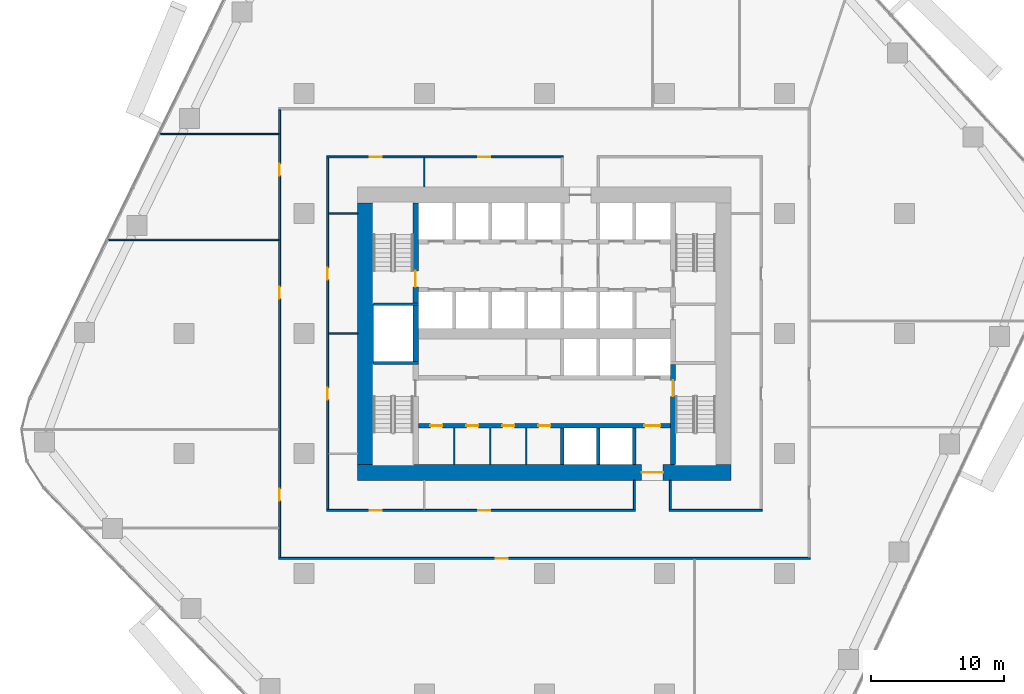
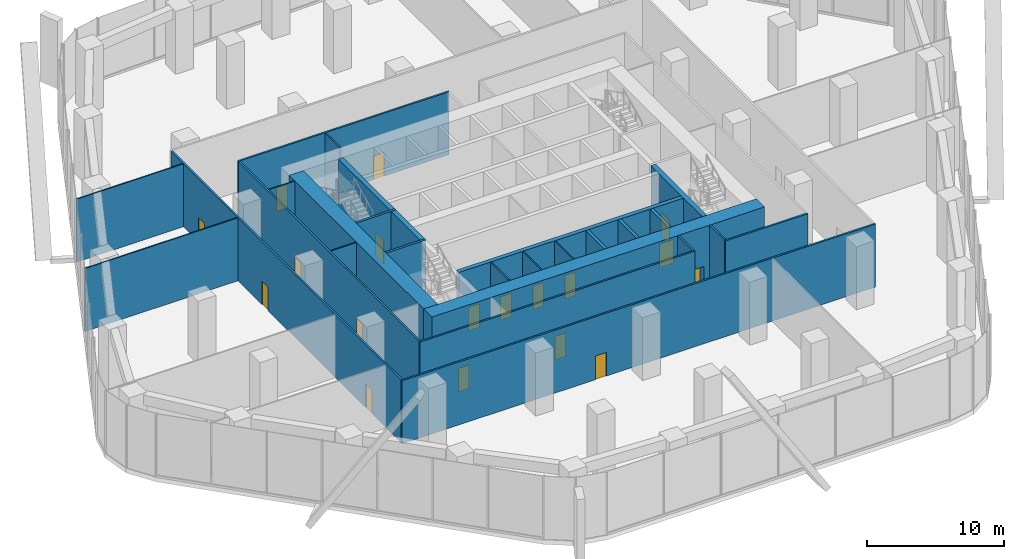
# One storey, part 11 of 19: 27 walls, 18 doors, 18 openings.
"""IFC4 building model written with IfcOpenShell, lengths in metres."""

from ifc_helpers import new_model, si_unit, direction, frame, frame_2d, origin, place, context, subcontext, project, spatial, rectangle, extrude, material, layer, layer_set, type_object, element, fill, save


model = new_model("IFC4")

# Units and contexts
model_context = context("Model", 3, precision=1e-05, world=origin(), true_north=direction((0.0, 1.0)))
body_context = subcontext(model_context, "Body", "Model", "MODEL_VIEW")
ifc_project = project(units=[si_unit("LENGTHUNIT", "METRE"), si_unit("AREAUNIT", "SQUARE_METRE"), si_unit("VOLUMEUNIT", "CUBIC_METRE"), si_unit("PLANEANGLEUNIT", "RADIAN"), si_unit("MASSUNIT", "GRAM", prefix="KILO")], contexts=[model_context])

# Site, building, storey
site_placement = place(None, origin())
site = spatial("IfcSite", under=ifc_project, at=site_placement, CompositionType="ELEMENT")
building_placement = place(site_placement, origin())
building = spatial("IfcBuilding", under=site, at=building_placement, Name="Dongbaek Canopy Tower", CompositionType="ELEMENT")
storey_placement = place(building_placement, frame((0.0, 0.0, 38.0)))
storey = spatial("IfcBuildingStorey", under=building, at=storey_placement, Name="L05", CompositionType="ELEMENT", Elevation=38.0)

# Wall, openings, doors
ifc_material_1 = material(Name="Concrete C60/75", Category="concrete")
ifc_layer_1 = layer(ifc_material_1, 0.35009765625)
ifc_layer_set_1 = layer_set([ifc_layer_1], Name="Core lobby wall 350 Concrete C60/75")
wall_type_1 = type_object("IfcWallType", Name="Core lobby wall 350 Concrete C60/75", PredefinedType="SHEAR", material=ifc_layer_set_1)
wall_1_placement = place(storey_placement, frame((9.449951171875, -6.89990234375, 0.0), z_axis=(0.0, 0.0, 1.0), x_axis=(-1.0, 0.0, 0.0)))
wall_1 = element("IfcWall", 1, at=wall_1_placement, inside=storey, type_object=wall_type_1, Name="Core wall", PredefinedType="SHEAR", context=body_context, shape_type="SweptSolid", body=[
    extrude(rectangle(XDim=18.89990234375, YDim=0.35009765625, at=frame_2d((9.449951171875, 0.0))), origin(), (0.0, 0.0, 1.0), 5.60009765625),
])
opening_1_placement = place(wall_1_placement, frame((0.75, 0.0, 0.0)))
opening_1 = element("IfcOpeningElement", 2, at=opening_1_placement, cuts=wall_1, Name="Opening L05-D038", PredefinedType="OPENING", context=body_context, shape_type="SweptSolid", body=[
    extrude(rectangle(XDim=1.199951171875, YDim=2.10009765625, at=frame_2d((0.60009765625, 1.050048828125))), frame((0.0, 0.18505859375, 0.0), z_axis=(0.0, -1.0, 0.0), x_axis=(1.0, 0.0, 0.0)), (0.0, 0.0, 1.0), 0.3701171875),
])
opening_2_placement = place(wall_1_placement, frame((17.10009765625, 0.0, 0.0)))
opening_2 = element("IfcOpeningElement", 3, at=opening_2_placement, cuts=wall_1, Name="Opening L05-D041", PredefinedType="OPENING", context=body_context, shape_type="SweptSolid", body=[
    extrude(rectangle(XDim=0.89990234375, YDim=2.10009765625, at=frame_2d((0.449951171875, 1.050048828125))), frame((0.0, 0.18505859375, 0.0), z_axis=(0.0, -1.0, 0.0), x_axis=(1.0, 0.0, 0.0)), (0.0, 0.0, 1.0), 0.3701171875),
])
opening_3_placement = place(wall_1_placement, frame((14.39990234375, 0.0, 0.0)))
opening_3 = element("IfcOpeningElement", 4, at=opening_3_placement, cuts=wall_1, Name="Opening L05-D042", PredefinedType="OPENING", context=body_context, shape_type="SweptSolid", body=[
    extrude(rectangle(XDim=0.89990234375, YDim=2.10009765625, at=frame_2d((0.449951171875, 1.050048828125))), frame((0.0, 0.18505859375, 0.0), z_axis=(0.0, -1.0, 0.0), x_axis=(1.0, 0.0, 0.0)), (0.0, 0.0, 1.0), 0.3701171875),
])
opening_4_placement = place(wall_1_placement, frame((11.699951171875, 0.0, 0.0)))
opening_4 = element("IfcOpeningElement", 5, at=opening_4_placement, cuts=wall_1, Name="Opening L05-D043", PredefinedType="OPENING", context=body_context, shape_type="SweptSolid", body=[
    extrude(rectangle(XDim=0.89990234375, YDim=2.10009765625, at=frame_2d((0.449951171875, 1.050048828125))), frame((0.0, 0.18505859375, 0.0), z_axis=(0.0, -1.0, 0.0), x_axis=(1.0, 0.0, 0.0)), (0.0, 0.0, 1.0), 0.3701171875),
])
opening_5_placement = place(wall_1_placement, frame((9.0, 0.0, 0.0)))
opening_5 = element("IfcOpeningElement", 6, at=opening_5_placement, cuts=wall_1, Name="Opening L05-D044", PredefinedType="OPENING", context=body_context, shape_type="SweptSolid", body=[
    extrude(rectangle(XDim=0.89990234375, YDim=2.10009765625, at=frame_2d((0.449951171875, 1.050048828125))), frame((0.0, 0.18505859375, 0.0), z_axis=(0.0, -1.0, 0.0), x_axis=(1.0, 0.0, 0.0)), (0.0, 0.0, 1.0), 0.3701171875),
])
ifc_material_2 = material(Name="Steel", Category="steel")
door_type_1 = type_object("IfcDoorType", Name="Core room door 900 x 2100", OperationType="SINGLE_SWING_LEFT", PredefinedType="DOOR", material=ifc_material_2)
door_1_placement = place(opening_2_placement, origin())
door_1 = element("IfcDoor", 7, at=door_1_placement, inside=storey, type_object=door_type_1, Name="Door L05-D041", OperationType="SINGLE_SWING_RIGHT", OverallHeight=2.10009765625, OverallWidth=0.89990234375, PredefinedType="DOOR", context=body_context, shape_type="SweptSolid", body=[
    extrude(rectangle(XDim=0.89990234375, YDim=2.10009765625, at=frame_2d((0.449951171875, 1.050048828125))), frame((0.0, 0.02490234375, 0.0), z_axis=(0.0, -1.0, 0.0), x_axis=(1.0, 0.0, 0.0)), (0.0, 0.0, 1.0), 0.050048828125),
])
fill(opening_2, door_1)
door_2_placement = place(opening_3_placement, origin())
door_2 = element("IfcDoor", 8, at=door_2_placement, inside=storey, type_object=door_type_1, Name="Door L05-D042", OperationType="SINGLE_SWING_LEFT", OverallHeight=2.10009765625, OverallWidth=0.89990234375, PredefinedType="DOOR", context=body_context, shape_type="SweptSolid", body=[
    extrude(rectangle(XDim=0.89990234375, YDim=2.10009765625, at=frame_2d((0.449951171875, 1.050048828125))), frame((0.0, 0.02490234375, 0.0), z_axis=(0.0, -1.0, 0.0), x_axis=(1.0, 0.0, 0.0)), (0.0, 0.0, 1.0), 0.050048828125),
])
fill(opening_3, door_2)
door_3_placement = place(opening_4_placement, origin())
door_3 = element("IfcDoor", 9, at=door_3_placement, inside=storey, type_object=door_type_1, Name="Door L05-D043", OperationType="SINGLE_SWING_RIGHT", OverallHeight=2.10009765625, OverallWidth=0.89990234375, PredefinedType="DOOR", context=body_context, shape_type="SweptSolid", body=[
    extrude(rectangle(XDim=0.89990234375, YDim=2.10009765625, at=frame_2d((0.449951171875, 1.050048828125))), frame((0.0, 0.02490234375, 0.0), z_axis=(0.0, -1.0, 0.0), x_axis=(1.0, 0.0, 0.0)), (0.0, 0.0, 1.0), 0.050048828125),
])
fill(opening_4, door_3)
door_4_placement = place(opening_5_placement, origin())
door_4 = element("IfcDoor", 10, at=door_4_placement, inside=storey, type_object=door_type_1, Name="Door L05-D044", OperationType="SINGLE_SWING_LEFT", OverallHeight=2.10009765625, OverallWidth=0.89990234375, PredefinedType="DOOR", context=body_context, shape_type="SweptSolid", body=[
    extrude(rectangle(XDim=0.89990234375, YDim=2.10009765625, at=frame_2d((0.449951171875, 1.050048828125))), frame((0.0, 0.02490234375, 0.0), z_axis=(0.0, -1.0, 0.0), x_axis=(1.0, 0.0, 0.0)), (0.0, 0.0, 1.0), 0.050048828125),
])
fill(opening_5, door_4)
ifc_material_3 = material(Name="Steel", Category="steel")
door_type_2 = type_object("IfcDoorType", Name="Fire lobby door 1200 x 2100", OperationType="SINGLE_SWING_LEFT", PredefinedType="DOOR", material=ifc_material_3)
door_5_placement = place(opening_1_placement, origin())
door_5 = element("IfcDoor", 11, at=door_5_placement, inside=storey, type_object=door_type_2, Name="Door L05-D038", OperationType="SINGLE_SWING_LEFT", OverallHeight=2.10009765625, OverallWidth=1.199951171875, PredefinedType="DOOR", context=body_context, shape_type="SweptSolid", body=[
    extrude(rectangle(XDim=1.199951171875, YDim=2.10009765625, at=frame_2d((0.60009765625, 1.050048828125))), frame((0.0, 0.02490234375, 0.0), z_axis=(0.0, -1.0, 0.0), x_axis=(1.0, 0.0, 0.0)), (0.0, 0.0, 1.0), 0.050048828125),
])
fill(opening_1, door_5)

# Wall, opening, door
ifc_material_4 = material(Name="Concrete C60/75", Category="concrete")
ifc_layer_2 = layer(ifc_material_4, 1.199951171875)
ifc_layer_set_2 = layer_set([ifc_layer_2], Name="Core outer wall 1200 Concrete C60/75")
wall_type_2 = type_object("IfcWallType", Name="Core outer wall 1200 Concrete C60/75", PredefinedType="SHEAR", material=ifc_layer_set_2)
wall_2_placement = place(storey_placement, frame((14.0, -10.39990234375, 0.0), z_axis=(0.0, 0.0, 1.0), x_axis=(-1.0, 0.0, 0.0)))
wall_2 = element("IfcWall", 12, at=wall_2_placement, inside=storey, type_object=wall_type_2, Name="Core wall", PredefinedType="SHEAR", context=body_context, shape_type="SweptSolid", body=[
    extrude(rectangle(XDim=28.0, YDim=1.199951171875, at=frame_2d((14.0, 0.0))), origin(), (0.0, 0.0, 1.0), 5.60009765625),
])
opening_6_placement = place(wall_2_placement, frame((5.10009765625, 0.0, 0.0)))
opening_6 = element("IfcOpeningElement", 13, at=opening_6_placement, cuts=wall_2, Name="Opening L05-D037", PredefinedType="OPENING", context=body_context, shape_type="SweptSolid", body=[
    extrude(rectangle(XDim=1.60009765625, YDim=2.10009765625, at=frame_2d((0.800048828125, 1.050048828125))), frame((0.0, 0.60986328125, 0.0), z_axis=(0.0, -1.0, 0.0), x_axis=(1.0, 0.0, 0.0)), (0.0, 0.0, 1.0), 1.219970703125),
])
ifc_material_5 = material(Name="Steel", Category="steel")
door_type_3 = type_object("IfcDoorType", Name="Core exit door 1600 x 2100", OperationType="DOUBLE_DOOR_SINGLE_SWING", PredefinedType="DOOR", material=ifc_material_5)
door_6_placement = place(opening_6_placement, origin())
door_6 = element("IfcDoor", 14, at=door_6_placement, inside=storey, type_object=door_type_3, Name="Core exit door", OperationType="DOUBLE_DOOR_SINGLE_SWING", OverallHeight=2.10009765625, OverallWidth=1.60009765625, PredefinedType="DOOR", context=body_context, shape_type="SweptSolid", body=[
    extrude(rectangle(XDim=1.60009765625, YDim=2.10009765625, at=frame_2d((0.800048828125, 1.050048828125))), frame((0.0, 0.02490234375, 0.0), z_axis=(0.0, -1.0, 0.0), x_axis=(1.0, 0.0, 0.0)), (0.0, 0.0, 1.0), 0.050048828125),
])
fill(opening_6, door_6)

# Wall
wall_3_placement = place(storey_placement, frame((-13.39990234375, -9.800048828125, 0.0), z_axis=(0.0, 0.0, 1.0), x_axis=(0.0, 1.0, 0.0)))
element("IfcWall", 15, at=wall_3_placement, inside=storey, type_object=wall_type_2, Name="Core wall", PredefinedType="SHEAR", context=body_context, shape_type="SweptSolid", body=[
    extrude(rectangle(XDim=19.60009765625, YDim=1.199951171875, at=frame_2d((9.800048828125, 0.0))), origin(), (0.0, 0.0, 1.0), 5.60009765625),
])

# Wall, opening, door
ifc_material_6 = material(Name="Gypsum board partition, steel stud, 2 x 15 mm fire board", Category="steel")
ifc_layer_3 = layer(ifc_material_6, 0.14990234375)
ifc_layer_set_3 = layer_set([ifc_layer_3], Name="Fire-rated partition 150 gypsum board")
wall_type_3 = type_object("IfcWallType", Name="Fire-rated partition 150 gypsum board", PredefinedType="PARTITIONING", material=ifc_layer_set_3)
wall_4_placement = place(storey_placement, frame((19.925048828125, -16.85009765625, 0.0), z_axis=(0.0, 0.0, 1.0), x_axis=(-1.0, 0.0, 0.0)))
wall_4 = element("IfcWall", 16, at=wall_4_placement, inside=storey, type_object=wall_type_3, Name="Corridor partition", PredefinedType="PARTITIONING", context=body_context, shape_type="SweptSolid", body=[
    extrude(rectangle(XDim=39.85009765625, YDim=0.14990234375, at=frame_2d((19.925048828125, 0.0))), origin(), (0.0, 0.0, 1.0), 5.60009765625),
])
opening_7_placement = place(wall_4_placement, frame((22.6533203125, 0.0, 0.0)))
opening_7 = element("IfcOpeningElement", 17, at=opening_7_placement, cuts=wall_4, Name="Opening L05-D003", PredefinedType="OPENING", context=body_context, shape_type="SweptSolid", body=[
    extrude(rectangle(XDim=0.89990234375, YDim=2.10009765625, at=frame_2d((0.449951171875, 1.050048828125))), frame((0.0, 0.0849609375, 0.0), z_axis=(0.0, -1.0, 0.0), x_axis=(1.0, 0.0, 0.0)), (0.0, 0.0, 1.0), 0.169921875),
])
ifc_material_7 = material(Name="Timber veneered door leaf", Category="wood")
door_type_4 = type_object("IfcDoorType", Name="Room door 900 x 2100", OperationType="SINGLE_SWING_LEFT", PredefinedType="DOOR", material=ifc_material_7)
door_7_placement = place(opening_7_placement, origin())
door_7 = element("IfcDoor", 18, at=door_7_placement, inside=storey, type_object=door_type_4, Name="Door L05-D003", OperationType="SINGLE_SWING_RIGHT", OverallHeight=2.10009765625, OverallWidth=0.89990234375, PredefinedType="DOOR", context=body_context, shape_type="SweptSolid", body=[
    extrude(rectangle(XDim=0.89990234375, YDim=2.10009765625, at=frame_2d((0.449951171875, 1.050048828125))), frame((0.0, 0.02490234375, 0.0), z_axis=(0.0, -1.0, 0.0), x_axis=(1.0, 0.0, 0.0)), (0.0, 0.0, 1.0), 0.050048828125),
])
fill(opening_7, door_7)

# Wall, openings, doors
wall_5_placement = place(storey_placement, frame((-16.324951171875, -13.25, 0.0), z_axis=(0.0, 0.0, 1.0), x_axis=(1.0, 0.0, 0.0)))
wall_5 = element("IfcWall", 19, at=wall_5_placement, inside=storey, type_object=wall_type_3, Name="Corridor partition", PredefinedType="PARTITIONING", context=body_context, shape_type="SweptSolid", body=[
    extrude(rectangle(XDim=23.14990234375, YDim=0.14990234375, at=frame_2d((11.574951171875, 0.0))), origin(), (0.0, 0.0, 1.0), 5.60009765625),
])
opening_8_placement = place(wall_5_placement, frame((3.25, 0.0, 0.0)))
opening_8 = element("IfcOpeningElement", 20, at=opening_8_placement, cuts=wall_5, Name="Opening L05-D012", PredefinedType="OPENING", context=body_context, shape_type="SweptSolid", body=[
    extrude(rectangle(XDim=0.89990234375, YDim=2.10009765625, at=frame_2d((0.449951171875, 1.050048828125))), frame((0.0, 0.0849609375, 0.0), z_axis=(0.0, -1.0, 0.0), x_axis=(1.0, 0.0, 0.0)), (0.0, 0.0, 1.0), 0.169921875),
])
opening_9_placement = place(wall_5_placement, frame((11.375, 0.0, 0.0)))
opening_9 = element("IfcOpeningElement", 21, at=opening_9_placement, cuts=wall_5, Name="Opening L05-D013", PredefinedType="OPENING", context=body_context, shape_type="SweptSolid", body=[
    extrude(rectangle(XDim=0.89990234375, YDim=2.10009765625, at=frame_2d((0.449951171875, 1.050048828125))), frame((0.0, 0.0849609375, 0.0), z_axis=(0.0, -1.0, 0.0), x_axis=(1.0, 0.0, 0.0)), (0.0, 0.0, 1.0), 0.169921875),
])
door_8_placement = place(opening_8_placement, origin())
door_8 = element("IfcDoor", 22, at=door_8_placement, inside=storey, type_object=door_type_4, Name="Door L05-D012", OperationType="SINGLE_SWING_LEFT", OverallHeight=2.10009765625, OverallWidth=0.89990234375, PredefinedType="DOOR", context=body_context, shape_type="SweptSolid", body=[
    extrude(rectangle(XDim=0.89990234375, YDim=2.10009765625, at=frame_2d((0.449951171875, 1.050048828125))), frame((0.0, 0.02490234375, 0.0), z_axis=(0.0, -1.0, 0.0), x_axis=(1.0, 0.0, 0.0)), (0.0, 0.0, 1.0), 0.050048828125),
])
fill(opening_8, door_8)
door_9_placement = place(opening_9_placement, origin())
door_9 = element("IfcDoor", 23, at=door_9_placement, inside=storey, type_object=door_type_4, Name="Door L05-D013", OperationType="SINGLE_SWING_RIGHT", OverallHeight=2.10009765625, OverallWidth=0.89990234375, PredefinedType="DOOR", context=body_context, shape_type="SweptSolid", body=[
    extrude(rectangle(XDim=0.89990234375, YDim=2.10009765625, at=frame_2d((0.449951171875, 1.050048828125))), frame((0.0, 0.02490234375, 0.0), z_axis=(0.0, -1.0, 0.0), x_axis=(1.0, 0.0, 0.0)), (0.0, 0.0, 1.0), 0.050048828125),
])
fill(opening_9, door_9)

# Wall
wall_6_placement = place(storey_placement, frame((9.375, -13.25, 0.0), z_axis=(0.0, 0.0, 1.0), x_axis=(1.0, 0.0, 0.0)))
element("IfcWall", 24, at=wall_6_placement, inside=storey, type_object=wall_type_3, Name="Corridor partition", PredefinedType="PARTITIONING", context=body_context, shape_type="SweptSolid", body=[
    extrude(rectangle(XDim=6.949951171875, YDim=0.14990234375, at=frame_2d((3.47509765625, 0.0))), origin(), (0.0, 0.0, 1.0), 5.60009765625),
])

# Wall, openings, doors
wall_7_placement = place(storey_placement, frame((1.425048828125, 13.25, 0.0), z_axis=(0.0, 0.0, 1.0), x_axis=(-1.0, 0.0, 0.0)))
wall_7 = element("IfcWall", 25, at=wall_7_placement, inside=storey, type_object=wall_type_3, Name="Corridor partition", PredefinedType="PARTITIONING", context=body_context, shape_type="SweptSolid", body=[
    extrude(rectangle(XDim=17.75, YDim=0.14990234375, at=frame_2d((8.875, 0.0))), origin(), (0.0, 0.0, 1.0), 5.60009765625),
])
opening_10_placement = place(wall_7_placement, frame((5.47509765625, 0.0, 0.0)))
opening_10 = element("IfcOpeningElement", 26, at=opening_10_placement, cuts=wall_7, Name="Opening L05-D017", PredefinedType="OPENING", context=body_context, shape_type="SweptSolid", body=[
    extrude(rectangle(XDim=0.89990234375, YDim=2.10009765625, at=frame_2d((0.449951171875, 1.050048828125))), frame((0.0, 0.0849609375, 0.0), z_axis=(0.0, -1.0, 0.0), x_axis=(1.0, 0.0, 0.0)), (0.0, 0.0, 1.0), 0.169921875),
])
opening_11_placement = place(wall_7_placement, frame((13.60009765625, 0.0, 0.0)))
opening_11 = element("IfcOpeningElement", 27, at=opening_11_placement, cuts=wall_7, Name="Opening L05-D018", PredefinedType="OPENING", context=body_context, shape_type="SweptSolid", body=[
    extrude(rectangle(XDim=0.89990234375, YDim=2.10009765625, at=frame_2d((0.449951171875, 1.050048828125))), frame((0.0, 0.0849609375, 0.0), z_axis=(0.0, -1.0, 0.0), x_axis=(1.0, 0.0, 0.0)), (0.0, 0.0, 1.0), 0.169921875),
])
door_10_placement = place(opening_10_placement, origin())
door_10 = element("IfcDoor", 28, at=door_10_placement, inside=storey, type_object=door_type_4, Name="Door L05-D017", OperationType="SINGLE_SWING_RIGHT", OverallHeight=2.10009765625, OverallWidth=0.89990234375, PredefinedType="DOOR", context=body_context, shape_type="SweptSolid", body=[
    extrude(rectangle(XDim=0.89990234375, YDim=2.10009765625, at=frame_2d((0.449951171875, 1.050048828125))), frame((0.0, 0.02490234375, 0.0), z_axis=(0.0, -1.0, 0.0), x_axis=(1.0, 0.0, 0.0)), (0.0, 0.0, 1.0), 0.050048828125),
])
fill(opening_10, door_10)
door_11_placement = place(opening_11_placement, origin())
door_11 = element("IfcDoor", 29, at=door_11_placement, inside=storey, type_object=door_type_4, Name="Door L05-D018", OperationType="SINGLE_SWING_LEFT", OverallHeight=2.10009765625, OverallWidth=0.89990234375, PredefinedType="DOOR", context=body_context, shape_type="SweptSolid", body=[
    extrude(rectangle(XDim=0.89990234375, YDim=2.10009765625, at=frame_2d((0.449951171875, 1.050048828125))), frame((0.0, 0.02490234375, 0.0), z_axis=(0.0, -1.0, 0.0), x_axis=(1.0, 0.0, 0.0)), (0.0, 0.0, 1.0), 0.050048828125),
])
fill(opening_11, door_11)

# Walls
for number, where, z_axis, x_axis, name in (
    (30, (9.449951171875, -13.175048828125, 0.0), (0.0, 0.0, 1.0), (0.0, 1.0, 0.0), "Corridor partition"),
    (31, (6.75, -13.175048828125, 0.0), (0.0, 0.0, 1.0), (0.0, 1.0, 0.0), "Corridor partition"),
):
    element("IfcWall", number, at=place(storey_placement, frame(where, z_axis=z_axis, x_axis=x_axis)), inside=storey, type_object=wall_type_3, Name=name, PredefinedType="PARTITIONING", context=body_context, shape_type="SweptSolid", body=[
        extrude(rectangle(XDim=2.175048828125, YDim=0.14990234375, at=frame_2d((1.08740234375, 0.0))), origin(), (0.0, 0.0, 1.0), 5.60009765625),
    ])

# Wall, openings, doors
wall_8_placement = place(storey_placement, frame((-16.25, 13.175048828125, 0.0), z_axis=(0.0, 0.0, 1.0), x_axis=(0.0, -1.0, 0.0)))
wall_8 = element("IfcWall", 32, at=wall_8_placement, inside=storey, type_object=wall_type_3, Name="Corridor partition", PredefinedType="PARTITIONING", context=body_context, shape_type="SweptSolid", body=[
    extrude(rectangle(XDim=26.35009765625, YDim=0.14990234375, at=frame_2d((13.175048828125, 0.0))), origin(), (0.0, 0.0, 1.0), 5.60009765625),
])
opening_12_placement = place(wall_8_placement, frame((17.22509765625, 0.0, 0.0)))
opening_12 = element("IfcOpeningElement", 33, at=opening_12_placement, cuts=wall_8, Name="Opening L05-D011", PredefinedType="OPENING", context=body_context, shape_type="SweptSolid", body=[
    extrude(rectangle(XDim=0.89990234375, YDim=2.10009765625, at=frame_2d((0.449951171875, 1.050048828125))), frame((0.0, 0.0849609375, 0.0), z_axis=(0.0, -1.0, 0.0), x_axis=(1.0, 0.0, 0.0)), (0.0, 0.0, 1.0), 0.169921875),
])
opening_13_placement = place(wall_8_placement, frame((8.22509765625, 0.0, 0.0)))
opening_13 = element("IfcOpeningElement", 34, at=opening_13_placement, cuts=wall_8, Name="Opening L05-D019", PredefinedType="OPENING", context=body_context, shape_type="SweptSolid", body=[
    extrude(rectangle(XDim=0.89990234375, YDim=2.10009765625, at=frame_2d((0.449951171875, 1.050048828125))), frame((0.0, 0.0849609375, 0.0), z_axis=(0.0, -1.0, 0.0), x_axis=(1.0, 0.0, 0.0)), (0.0, 0.0, 1.0), 0.169921875),
])
door_12_placement = place(opening_12_placement, origin())
door_12 = element("IfcDoor", 35, at=door_12_placement, inside=storey, type_object=door_type_4, Name="Door L05-D011", OperationType="SINGLE_SWING_RIGHT", OverallHeight=2.10009765625, OverallWidth=0.89990234375, PredefinedType="DOOR", context=body_context, shape_type="SweptSolid", body=[
    extrude(rectangle(XDim=0.89990234375, YDim=2.10009765625, at=frame_2d((0.449951171875, 1.050048828125))), frame((0.0, 0.02490234375, 0.0), z_axis=(0.0, -1.0, 0.0), x_axis=(1.0, 0.0, 0.0)), (0.0, 0.0, 1.0), 0.050048828125),
])
fill(opening_12, door_12)
door_13_placement = place(opening_13_placement, origin())
door_13 = element("IfcDoor", 36, at=door_13_placement, inside=storey, type_object=door_type_4, Name="Door L05-D019", OperationType="SINGLE_SWING_RIGHT", OverallHeight=2.10009765625, OverallWidth=0.89990234375, PredefinedType="DOOR", context=body_context, shape_type="SweptSolid", body=[
    extrude(rectangle(XDim=0.89990234375, YDim=2.10009765625, at=frame_2d((0.449951171875, 1.050048828125))), frame((0.0, 0.02490234375, 0.0), z_axis=(0.0, -1.0, 0.0), x_axis=(1.0, 0.0, 0.0)), (0.0, 0.0, 1.0), 0.050048828125),
])
fill(opening_13, door_13)

wall_9_placement = place(storey_placement, frame((-19.85009765625, -16.77490234375, 0.0), z_axis=(0.0, 0.0, 1.0), x_axis=(0.0, 1.0, 0.0)))
wall_9 = element("IfcWall", 37, at=wall_9_placement, inside=storey, type_object=wall_type_3, Name="Corridor partition", PredefinedType="PARTITIONING", context=body_context, shape_type="SweptSolid", body=[
    extrude(rectangle(XDim=33.5498046875, YDim=0.14990234375, at=frame_2d((16.77490234375, 0.0))), origin(), (0.0, 0.0, 1.0), 5.60009765625),
])
opening_14_placement = place(wall_9_placement, frame((19.391845703125, 0.0, 0.0)))
opening_14 = element("IfcOpeningElement", 38, at=opening_14_placement, cuts=wall_9, Name="Opening L05-D001", PredefinedType="OPENING", context=body_context, shape_type="SweptSolid", body=[
    extrude(rectangle(XDim=0.89990234375, YDim=2.10009765625, at=frame_2d((0.449951171875, 1.050048828125))), frame((0.0, 0.0849609375, 0.0), z_axis=(0.0, -1.0, 0.0), x_axis=(1.0, 0.0, 0.0)), (0.0, 0.0, 1.0), 0.169921875),
])
opening_15_placement = place(wall_9_placement, frame((4.250732421875, 0.0, 0.0)))
opening_15 = element("IfcOpeningElement", 39, at=opening_15_placement, cuts=wall_9, Name="Opening L05-D002", PredefinedType="OPENING", context=body_context, shape_type="SweptSolid", body=[
    extrude(rectangle(XDim=0.89990234375, YDim=2.10009765625, at=frame_2d((0.449951171875, 1.050048828125))), frame((0.0, 0.0849609375, 0.0), z_axis=(0.0, -1.0, 0.0), x_axis=(1.0, 0.0, 0.0)), (0.0, 0.0, 1.0), 0.169921875),
])
opening_16_placement = place(wall_9_placement, frame((28.62890625, 0.0, 0.0)))
opening_16 = element("IfcOpeningElement", 40, at=opening_16_placement, cuts=wall_9, Name="Opening L05-D010", PredefinedType="OPENING", context=body_context, shape_type="SweptSolid", body=[
    extrude(rectangle(XDim=0.89990234375, YDim=2.10009765625, at=frame_2d((0.449951171875, 1.050048828125))), frame((0.0, 0.0849609375, 0.0), z_axis=(0.0, -1.0, 0.0), x_axis=(1.0, 0.0, 0.0)), (0.0, 0.0, 1.0), 0.169921875),
])
door_14_placement = place(opening_14_placement, origin())
door_14 = element("IfcDoor", 41, at=door_14_placement, inside=storey, type_object=door_type_4, Name="Door L05-D001", OperationType="SINGLE_SWING_RIGHT", OverallHeight=2.10009765625, OverallWidth=0.89990234375, PredefinedType="DOOR", context=body_context, shape_type="SweptSolid", body=[
    extrude(rectangle(XDim=0.89990234375, YDim=2.10009765625, at=frame_2d((0.449951171875, 1.050048828125))), frame((0.0, 0.02490234375, 0.0), z_axis=(0.0, -1.0, 0.0), x_axis=(1.0, 0.0, 0.0)), (0.0, 0.0, 1.0), 0.050048828125),
])
fill(opening_14, door_14)
door_15_placement = place(opening_15_placement, origin())
door_15 = element("IfcDoor", 42, at=door_15_placement, inside=storey, type_object=door_type_4, Name="Door L05-D002", OperationType="SINGLE_SWING_LEFT", OverallHeight=2.10009765625, OverallWidth=0.89990234375, PredefinedType="DOOR", context=body_context, shape_type="SweptSolid", body=[
    extrude(rectangle(XDim=0.89990234375, YDim=2.10009765625, at=frame_2d((0.449951171875, 1.050048828125))), frame((0.0, 0.02490234375, 0.0), z_axis=(0.0, -1.0, 0.0), x_axis=(1.0, 0.0, 0.0)), (0.0, 0.0, 1.0), 0.050048828125),
])
fill(opening_15, door_15)
door_16_placement = place(opening_16_placement, origin())
door_16 = element("IfcDoor", 43, at=door_16_placement, inside=storey, type_object=door_type_4, Name="Door L05-D010", OperationType="SINGLE_SWING_LEFT", OverallHeight=2.10009765625, OverallWidth=0.89990234375, PredefinedType="DOOR", context=body_context, shape_type="SweptSolid", body=[
    extrude(rectangle(XDim=0.89990234375, YDim=2.10009765625, at=frame_2d((0.449951171875, 1.050048828125))), frame((0.0, 0.02490234375, 0.0), z_axis=(0.0, -1.0, 0.0), x_axis=(1.0, 0.0, 0.0)), (0.0, 0.0, 1.0), 0.050048828125),
])
fill(opening_16, door_16)

# Walls
ifc_material_8 = material(Name="Concrete C40/50", Category="concrete")
ifc_layer_4 = layer(ifc_material_8, 0.25)
ifc_layer_set_4 = layer_set([ifc_layer_4], Name="Lift shaft wall 250 Concrete C40/50")
wall_type_4 = type_object("IfcWallType", Name="Lift shaft wall 250 Concrete C40/50", PredefinedType="SOLIDWALL", material=ifc_layer_set_4)
for number, where, z_axis, x_axis, name in (
    (44, (6.75, -9.800048828125, 0.0), (0.0, 0.0, 1.0), (0.0, 1.0, 0.0), "Lift shaft wall"),
    (45, (4.050048828125, -9.800048828125, 0.0), (0.0, 0.0, 1.0), (0.0, 1.0, 0.0), "Lift shaft wall"),
    (46, (1.35009765625, -9.800048828125, 0.0), (0.0, 0.0, 1.0), (0.0, 1.0, 0.0), "Lift shaft wall"),
):
    element("IfcWall", number, at=place(storey_placement, frame(where, z_axis=z_axis, x_axis=x_axis)), inside=storey, type_object=wall_type_4, Name=name, PredefinedType="SOLIDWALL", context=body_context, shape_type="SweptSolid", body=[
        extrude(rectangle(XDim=2.72509765625, YDim=0.25, at=frame_2d((1.362548828125, 0.0))), origin(), (0.0, 0.0, 1.0), 5.60009765625),
    ])
ifc_material_9 = material(Name="Gypsum board partition, steel stud, 2 x 12.5 mm board", Category="steel")
ifc_layer_5 = layer(ifc_material_9, 0.10009765625)
ifc_layer_set_5 = layer_set([ifc_layer_5], Name="Partition 100 gypsum board")
wall_type_5 = type_object("IfcWallType", Name="Partition 100 gypsum board", PredefinedType="PARTITIONING", material=ifc_layer_set_5)
wall_10_placement = place(storey_placement, frame((-16.175048828125, 0.0, 0.0), z_axis=(0.0, 0.0, 1.0), x_axis=(1.0, 0.0, 0.0)))
element("IfcWall", 47, at=wall_10_placement, inside=storey, type_object=wall_type_5, Name="Partition", PredefinedType="PARTITIONING", context=body_context, shape_type="SweptSolid", body=[
    extrude(rectangle(XDim=2.175048828125, YDim=0.10009765625, at=frame_2d((1.08740234375, 0.0))), origin(), (0.0, 0.0, 1.0), 5.60009765625),
])
wall_11_placement = place(storey_placement, frame((-32.769775390625, 7.031982421875, 0.0), z_axis=(0.0, 0.0, 1.0), x_axis=(1.0, 0.0, 0.0)))
element("IfcWall", 48, at=wall_11_placement, inside=storey, type_object=wall_type_5, Name="Partition", PredefinedType="PARTITIONING", context=body_context, shape_type="SweptSolid", body=[
    extrude(rectangle(XDim=12.8447265625, YDim=0.10009765625, at=frame_2d((6.42236328125, 0.0))), origin(), (0.0, 0.0, 1.0), 5.60009765625),
])
wall_12_placement = place(storey_placement, frame((-16.175048828125, 9.0, 0.0), z_axis=(0.0, 0.0, 1.0), x_axis=(1.0, 0.0, 0.0)))
element("IfcWall", 49, at=wall_12_placement, inside=storey, type_object=wall_type_5, Name="Partition", PredefinedType="PARTITIONING", context=body_context, shape_type="SweptSolid", body=[
    extrude(rectangle(XDim=2.175048828125, YDim=0.10009765625, at=frame_2d((1.08740234375, 0.0))), origin(), (0.0, 0.0, 1.0), 5.60009765625),
])
wall_13_placement = place(storey_placement, frame((-28.902099609375, 14.962890625, 0.0), z_axis=(0.0, 0.0, 1.0), x_axis=(1.0, 0.0, 0.0)))
element("IfcWall", 50, at=wall_13_placement, inside=storey, type_object=wall_type_5, Name="Partition", PredefinedType="PARTITIONING", context=body_context, shape_type="SweptSolid", body=[
    extrude(rectangle(XDim=8.97705078125, YDim=0.10009765625, at=frame_2d((4.488525390625, 0.0))), origin(), (0.0, 0.0, 1.0), 5.60009765625),
])
wall_14_placement = place(storey_placement, frame((-9.0, 11.0, 0.0), z_axis=(0.0, 0.0, 1.0), x_axis=(0.0, 1.0, 0.0)))
element("IfcWall", 51, at=wall_14_placement, inside=storey, type_object=wall_type_5, Name="Partition", PredefinedType="PARTITIONING", context=body_context, shape_type="SweptSolid", body=[
    extrude(rectangle(XDim=2.175048828125, YDim=0.10009765625, at=frame_2d((1.08740234375, 0.0))), origin(), (0.0, 0.0, 1.0), 5.60009765625),
])
for number, where, z_axis, x_axis, name in (
    (52, (-1.35009765625, -9.800048828125, 0.0), (0.0, 0.0, 1.0), (0.0, 1.0, 0.0), "Core partition"),
    (53, (-4.050048828125, -9.800048828125, 0.0), (0.0, 0.0, 1.0), (0.0, 1.0, 0.0), "Core partition"),
    (54, (-6.75, -9.800048828125, 0.0), (0.0, 0.0, 1.0), (0.0, 1.0, 0.0), "Core partition"),
):
    element("IfcWall", number, at=place(storey_placement, frame(where, z_axis=z_axis, x_axis=x_axis)), inside=storey, type_object=wall_type_5, Name=name, PredefinedType="PARTITIONING", context=body_context, shape_type="SweptSolid", body=[
        extrude(rectangle(XDim=2.72509765625, YDim=0.10009765625, at=frame_2d((1.362548828125, 0.0))), origin(), (0.0, 0.0, 1.0), 5.60009765625),
    ])
ifc_material_10 = material(Name="Concrete C60/75", Category="concrete")
ifc_layer_6 = layer(ifc_material_10, 0.199951171875)
ifc_layer_set_6 = layer_set([ifc_layer_6], Name="Riser wall 200 Concrete C60/75")
wall_type_6 = type_object("IfcWallType", Name="Riser wall 200 Concrete C60/75", PredefinedType="SHEAR", material=ifc_layer_set_6)
for number, where, z_axis, x_axis, name in (
    (55, (-9.449951171875, 2.199951171875, 0.0), (0.0, 0.0, 1.0), (-1.0, 0.0, 0.0), "Riser wall"),
    (56, (-9.449951171875, -2.199951171875, 0.0), (0.0, 0.0, 1.0), (-1.0, 0.0, 0.0), "Riser wall"),
):
    element("IfcWall", number, at=place(storey_placement, frame(where, z_axis=z_axis, x_axis=x_axis)), inside=storey, type_object=wall_type_6, Name=name, PredefinedType="SHEAR", context=body_context, shape_type="SweptSolid", body=[
        extrude(rectangle(XDim=3.35009765625, YDim=0.199951171875, at=frame_2d((1.675048828125, 0.0))), origin(), (0.0, 0.0, 1.0), 5.60009765625),
    ])

# Wall, opening, door
ifc_material_11 = material(Name="Concrete C60/75", Category="concrete")
ifc_layer_7 = layer(ifc_material_11, 0.39990234375)
ifc_layer_set_7 = layer_set([ifc_layer_7], Name="Stair wall 400 Concrete C60/75")
wall_type_7 = type_object("IfcWallType", Name="Stair wall 400 Concrete C60/75", PredefinedType="SHEAR", material=ifc_layer_set_7)
wall_15_placement = place(storey_placement, frame((9.64990234375, -2.300048828125, 0.0), z_axis=(0.0, 0.0, 1.0), x_axis=(0.0, -1.0, 0.0)))
wall_15 = element("IfcWall", 57, at=wall_15_placement, inside=storey, type_object=wall_type_7, Name="Stair wall", PredefinedType="SHEAR", context=body_context, shape_type="SweptSolid", body=[
    extrude(rectangle(XDim=7.5, YDim=0.39990234375, at=frame_2d((3.75, 0.0))), origin(), (0.0, 0.0, 1.0), 5.60009765625),
])
opening_17_placement = place(wall_15_placement, frame((1.199951171875, 0.0, 0.0)))
opening_17 = element("IfcOpeningElement", 58, at=opening_17_placement, cuts=wall_15, Name="Opening L05-D047", PredefinedType="OPENING", context=body_context, shape_type="SweptSolid", body=[
    extrude(rectangle(XDim=1.199951171875, YDim=2.10009765625, at=frame_2d((0.60009765625, 1.050048828125))), frame((0.0, 0.2099609375, 0.0), z_axis=(0.0, -1.0, 0.0), x_axis=(1.0, 0.0, 0.0)), (0.0, 0.0, 1.0), 0.419921875),
])
ifc_material_12 = material(Name="Steel", Category="steel")
door_type_5 = type_object("IfcDoorType", Name="Stair door 1200 x 2100", OperationType="SINGLE_SWING_LEFT", PredefinedType="DOOR", material=ifc_material_12)
door_17_placement = place(opening_17_placement, origin())
door_17 = element("IfcDoor", 59, at=door_17_placement, inside=storey, type_object=door_type_5, Name="Stair B door", OperationType="SINGLE_SWING_RIGHT", OverallHeight=2.10009765625, OverallWidth=1.199951171875, PredefinedType="DOOR", context=body_context, shape_type="SweptSolid", body=[
    extrude(rectangle(XDim=1.199951171875, YDim=2.10009765625, at=frame_2d((0.60009765625, 1.050048828125))), frame((0.0, 0.02490234375, 0.0), z_axis=(0.0, -1.0, 0.0), x_axis=(1.0, 0.0, 0.0)), (0.0, 0.0, 1.0), 0.050048828125),
])
fill(opening_17, door_17)

# Wall
wall_16_placement = place(storey_placement, frame((-9.64990234375, -2.10009765625, 0.0), z_axis=(0.0, 0.0, 1.0), x_axis=(0.0, 1.0, 0.0)))
element("IfcWall", 60, at=wall_16_placement, inside=storey, type_object=wall_type_7, Name="Stair wall", PredefinedType="SHEAR", context=body_context, shape_type="SweptSolid", body=[
    extrude(rectangle(XDim=4.2001953125, YDim=0.39990234375, at=frame_2d((2.10009765625, 0.0))), origin(), (0.0, 0.0, 1.0), 5.60009765625),
])

# Wall, opening, door
wall_17_placement = place(storey_placement, frame((-9.64990234375, 2.300048828125, 0.0), z_axis=(0.0, 0.0, 1.0), x_axis=(0.0, 1.0, 0.0)))
wall_17 = element("IfcWall", 61, at=wall_17_placement, inside=storey, type_object=wall_type_7, Name="Stair wall", PredefinedType="SHEAR", context=body_context, shape_type="SweptSolid", body=[
    extrude(rectangle(XDim=7.5, YDim=0.39990234375, at=frame_2d((3.75, 0.0))), origin(), (0.0, 0.0, 1.0), 5.60009765625),
])
opening_18_placement = place(wall_17_placement, frame((1.199951171875, 0.0, 0.0)))
opening_18 = element("IfcOpeningElement", 62, at=opening_18_placement, cuts=wall_17, Name="Opening L05-D046", PredefinedType="OPENING", context=body_context, shape_type="SweptSolid", body=[
    extrude(rectangle(XDim=1.199951171875, YDim=2.10009765625, at=frame_2d((0.60009765625, 1.050048828125))), frame((0.0, 0.2099609375, 0.0), z_axis=(0.0, -1.0, 0.0), x_axis=(1.0, 0.0, 0.0)), (0.0, 0.0, 1.0), 0.419921875),
])
door_18_placement = place(opening_18_placement, origin())
door_18 = element("IfcDoor", 63, at=door_18_placement, inside=storey, type_object=door_type_5, Name="Stair C door", OperationType="SINGLE_SWING_RIGHT", OverallHeight=2.10009765625, OverallWidth=1.199951171875, PredefinedType="DOOR", context=body_context, shape_type="SweptSolid", body=[
    extrude(rectangle(XDim=1.199951171875, YDim=2.10009765625, at=frame_2d((0.60009765625, 1.050048828125))), frame((0.0, 0.02490234375, 0.0), z_axis=(0.0, -1.0, 0.0), x_axis=(1.0, 0.0, 0.0)), (0.0, 0.0, 1.0), 0.050048828125),
])
fill(opening_18, door_18)

save(model, "model.ifc")
